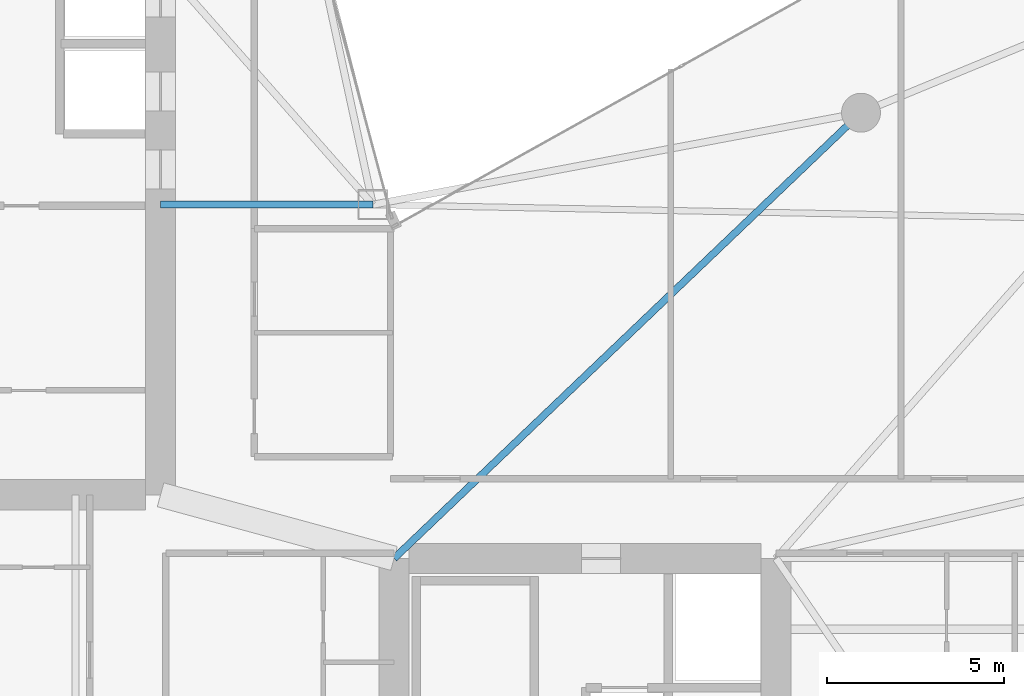
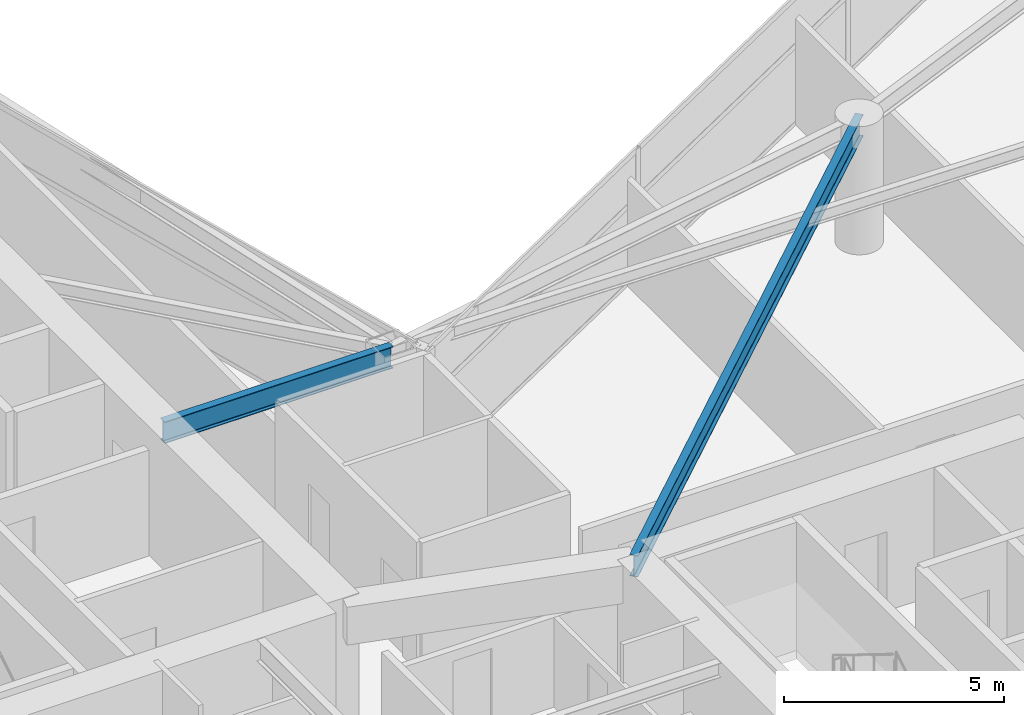
# One storey, part 9 of 29: 2 beams.
"""IFC4 building model written with IfcOpenShell, lengths in metres."""

from ifc_helpers import new_model, si_unit, direction, frame, origin, origin_2d, place, context, subcontext, project, spatial, i_section, extrude, material, material_profile, profile_set, type_object, element, save


model = new_model("IFC4")

# Units and contexts
model_context = context("Model", 3, precision=1e-05, world=origin(), true_north=direction((0.0, 1.0)))
body_context = subcontext(model_context, "Body", "Model", "MODEL_VIEW")
ifc_project = project(units=[si_unit("LENGTHUNIT", "METRE"), si_unit("AREAUNIT", "SQUARE_METRE"), si_unit("VOLUMEUNIT", "CUBIC_METRE"), si_unit("PLANEANGLEUNIT", "RADIAN"), si_unit("MASSUNIT", "GRAM", prefix="KILO")], contexts=[model_context])

# Site, building, storey
site_placement = place(None, origin())
site = spatial("IfcSite", under=ifc_project, at=site_placement, CompositionType="ELEMENT")
building_placement = place(site_placement, origin())
building = spatial("IfcBuilding", under=site, at=building_placement, Name="Calvorn Quay Hotel", CompositionType="ELEMENT")
storey_placement = place(building_placement, frame((0.0, 0.0, 163.699951171875)))
storey = spatial("IfcBuildingStorey", under=building, at=storey_placement, Name="L40", CompositionType="ELEMENT", Elevation=163.699951171875)

# Beams
ifc_material = material(Name="Steel Q355B", Category="steel")
ifc_material_profile = material_profile(ifc_material, i_section(OverallWidth=0.199951171875, OverallDepth=0.60009765625, WebThickness=0.010986328125, FlangeThickness=0.01708984375, FilletRadius=0.01806640625, at=origin_2d()), Name="HN600x200x11x17")
ifc_profile_set = profile_set([ifc_material_profile], Name="Steel Q355B")
beam_type = type_object("IfcBeamType", Name="BM-GIRD-TYP", PredefinedType="BEAM", material=ifc_profile_set)
beam_1_placement = place(storey_placement, frame((21.0, 25.0, 3.239990234375), z_axis=(-1.0, 0.0, 0.0), x_axis=(0.0, -1.0, 0.0)))
element("IfcBeam", 1, at=beam_1_placement, inside=storey, type_object=beam_type, Name="Beam BG-L40-W7", PredefinedType="BEAM", context=body_context, shape_type="SweptSolid", body=[
    extrude(i_section(OverallWidth=0.199951171875, OverallDepth=0.60009765625, WebThickness=0.010986328125, FlangeThickness=0.01708984375, FilletRadius=0.01806640625, at=origin_2d()), origin(), (0.0, 0.0, 1.0), 6.0),
])
beam_2_placement = place(storey_placement, frame((21.60009765625, 15.0, 3.239990234375), z_axis=(0.723351595578, 0.690479883252, 0.0), x_axis=(-0.690479883252, 0.723351595578, 0.0)))
element("IfcBeam", 2, at=beam_2_placement, inside=storey, type_object=beam_type, Name="Beam BG-L40-E4", PredefinedType="BEAM", context=body_context, shape_type="SweptSolid", body=[
    extrude(i_section(OverallWidth=0.199951171875, OverallDepth=0.60009765625, WebThickness=0.010986328125, FlangeThickness=0.01708984375, FilletRadius=0.01806640625, at=origin_2d()), origin(), (0.0, 0.0, 1.0), 18.248291015625),
])

save(model, "model.ifc")
